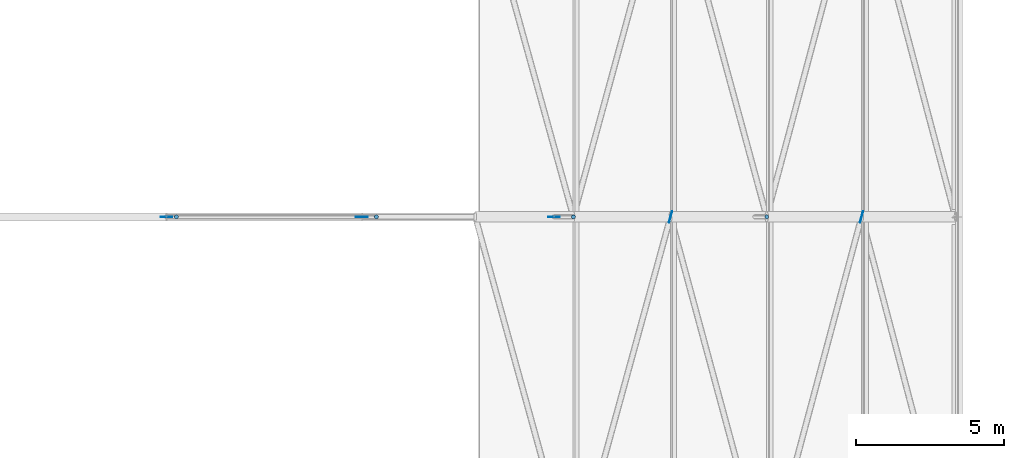
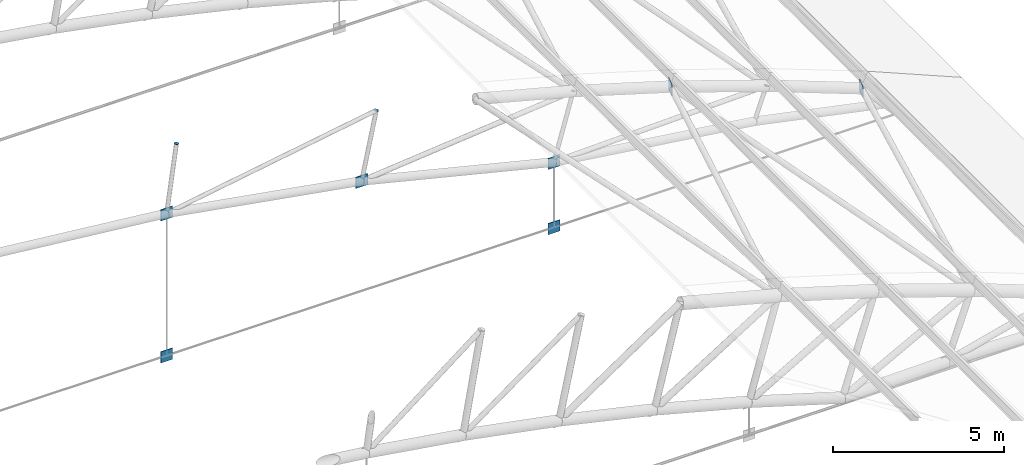
# One storey, part 280 of 321: 11 discrete accessories.
"""IFC4 building model written with IfcOpenShell, lengths in metres."""

from ifc_helpers import new_model, si_unit, direction, frame, origin, origin_2d, place, context, subcontext, project, spatial, rectangle, circle, extrude, material, material_profile, profile_set, type_object, element, save


model = new_model("IFC4")

# Units and contexts
model_context = context("Model", 3, precision=1e-05, world=origin(), true_north=direction((0.0, 1.0)))
body_context = subcontext(model_context, "Body", "Model", "MODEL_VIEW")
ifc_project = project(units=[si_unit("LENGTHUNIT", "METRE"), si_unit("AREAUNIT", "SQUARE_METRE"), si_unit("VOLUMEUNIT", "CUBIC_METRE"), si_unit("PLANEANGLEUNIT", "RADIAN"), si_unit("MASSUNIT", "GRAM", prefix="KILO")], contexts=[model_context])

# Site, building, storey
site_placement = place(None, origin())
site = spatial("IfcSite", under=ifc_project, at=site_placement, CompositionType="ELEMENT")
building_placement = place(site_placement, origin())
building = spatial("IfcBuilding", under=site, at=building_placement, Name="Ravi Spectrum Wholesale Market", CompositionType="ELEMENT")
storey_placement = place(building_placement, frame((0.0, 0.0, 10.800048828125)))
storey = spatial("IfcBuildingStorey", under=building, at=storey_placement, Name="L02", CompositionType="ELEMENT", Elevation=10.800048828125)

# Discrete accessories
ifc_material_1 = material(Name="Steel S355", Category="steel")
ifc_material_profile_1 = material_profile(ifc_material_1, circle(Radius=0.06982421875, at=origin_2d()))
ifc_profile_set_1 = profile_set([ifc_material_profile_1], Name="Steel S355")
discrete_accessory_type_1 = type_object("IfcDiscreteAccessoryType", Name="End plate CHS 139.7x5", PredefinedType="BRACKET", material=ifc_profile_set_1)
for number, where, z_axis, x_axis, name in (
    (1, (83.681884765625, 114.0, 7.479736328125), (0.141421356237, 0.0, 0.989949493661), (0.0, 1.0, 0.0), "End plate"),
    (2, (90.44140625, 114.0, 6.30224609375), (0.203954254112, 0.0, 0.978980419738), (0.0, 1.0, 0.0), "End plate"),
    (3, (97.103759765625, 114.0, 4.661376953125), (0.266586054538, 0.0, 0.963811120254), (0.0, 1.0, 0.0), "End plate"),
    (4, (103.636962890625, 114.0, 2.56494140625), (0.346650140872, 0.0, 0.937994498829), (0.0, 1.0, 0.0), "End plate"),
):
    element("IfcDiscreteAccessory", number, at=place(storey_placement, frame(where, z_axis=z_axis, x_axis=x_axis)), inside=storey, type_object=discrete_accessory_type_1, Name=name, PredefinedType="BRACKET", context=body_context, shape_type="SweptSolid", body=[
        extrude(circle(Radius=0.06982421875, at=origin_2d()), origin(), (0.0, 0.0, 1.0), 0.011962890625),
    ])
ifc_material_2 = material(Name="Steel S355", Category="steel")
ifc_material_profile_2 = material_profile(ifc_material_2, rectangle(XDim=0.39990234375, YDim=0.02001953125, at=origin_2d()))
ifc_profile_set_2 = profile_set([ifc_material_profile_2], Name="Steel S355")
discrete_accessory_type_2 = type_object("IfcDiscreteAccessoryType", Name="Gusset plate 400x400x20", PredefinedType="BRACKET", material=ifc_profile_set_2)
discrete_accessory_1_placement = place(storey_placement, frame((83.351806640625, 114.0, -0.1767578125), z_axis=(0.0, 0.0, 1.0), x_axis=(1.0, 0.0, 0.0)))
element("IfcDiscreteAccessory", 5, at=discrete_accessory_1_placement, inside=storey, type_object=discrete_accessory_type_2, Name="Gusset plate", PredefinedType="BRACKET", context=body_context, shape_type="SweptSolid", body=[
    extrude(rectangle(XDim=0.39990234375, YDim=0.02001953125, at=origin_2d()), origin(), (0.0, 0.0, 1.0), 0.39990234375),
])
discrete_accessory_2_placement = place(storey_placement, frame((83.351806640625, 114.0, 4.902587890625), z_axis=(0.0, 0.0, 1.0), x_axis=(-1.0, 0.0, 0.0)))
element("IfcDiscreteAccessory", 6, at=discrete_accessory_2_placement, inside=storey, type_object=discrete_accessory_type_2, Name="Gusset plate", PredefinedType="BRACKET", context=body_context, shape_type="SweptSolid", body=[
    extrude(rectangle(XDim=0.39990234375, YDim=0.02001953125, at=origin_2d()), origin(), (0.0, 0.0, 1.0), 0.400146484375),
])
for number, where, z_axis, x_axis, name in (
    (7, (89.9482421875, 114.0, 3.75341796875), (0.0, 0.0, 1.0), (-1.0, 0.0, 0.0), "Gusset plate"),
    (8, (96.44970703125, 114.0, -0.1767578125), (0.0, 0.0, 1.0), (1.0, 0.0, 0.0), "Gusset plate"),
    (9, (96.44970703125, 114.0, 2.152099609375), (0.0, 0.0, 1.0), (-1.0, 0.0, 0.0), "Gusset plate"),
    (10, (100.388427734375, 114.0, 3.469482421875), (0.0, 0.0, 1.0), (0.264532113416, 0.964376877041, 0.0), "Gusset plate"),
    (11, (106.845458984375, 114.0, 1.149169921875), (0.0, 0.0, 1.0), (0.258948940898, 0.965891011454, 0.0), "Gusset plate"),
):
    element("IfcDiscreteAccessory", number, at=place(storey_placement, frame(where, z_axis=z_axis, x_axis=x_axis)), inside=storey, type_object=discrete_accessory_type_2, Name=name, PredefinedType="BRACKET", context=body_context, shape_type="SweptSolid", body=[
        extrude(rectangle(XDim=0.39990234375, YDim=0.02001953125, at=origin_2d()), origin(), (0.0, 0.0, 1.0), 0.39990234375),
    ])

save(model, "model.ifc")
